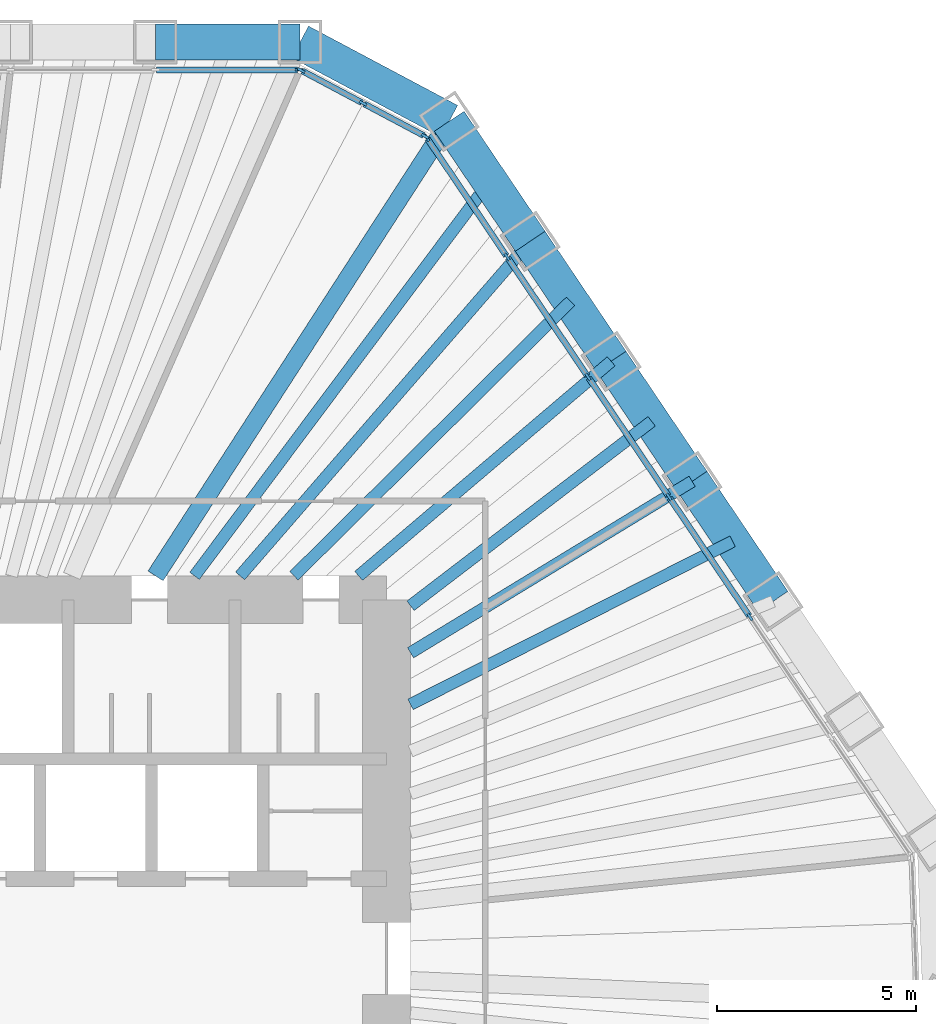
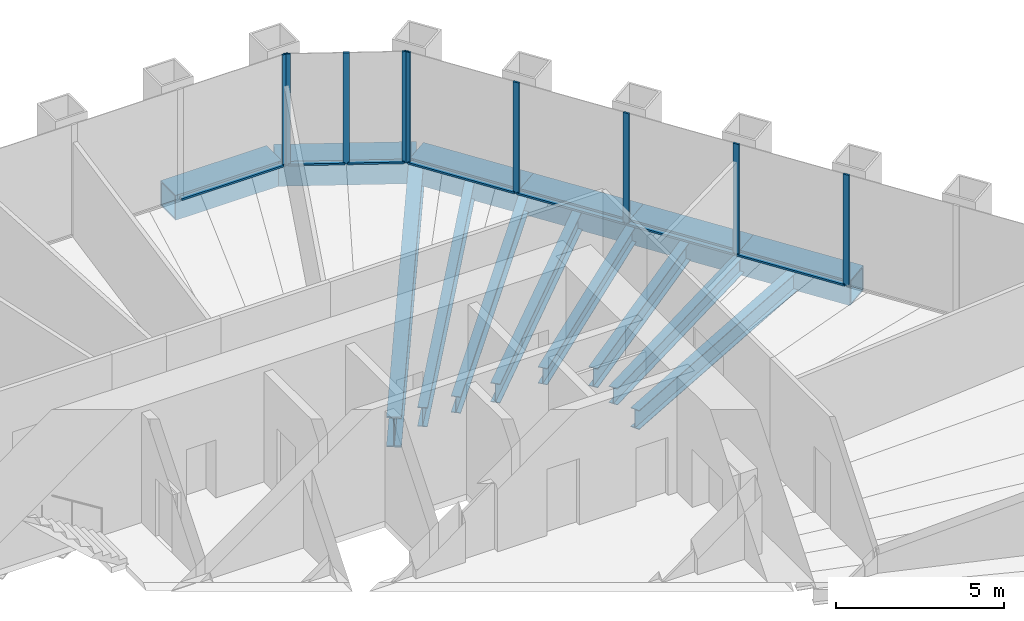
# One storey, part 7 of 14: 16 members, 14 beams, 3 elements without a shape of their own.
"""IFC4 building model written with IfcOpenShell, lengths in metres."""

from ifc_helpers import new_model, si_unit, direction, frame, origin, origin_2d, place, context, subcontext, project, spatial, rectangle, hollow_rectangle, i_section, extrude, material, material_profile, profile_set, type_object, element, aggregate, save


model = new_model("IFC4")

# Units and contexts
model_context = context("Model", 3, precision=1e-05, world=origin(), true_north=direction((0.0, 1.0)))
body_context = subcontext(model_context, "Body", "Model", "MODEL_VIEW")
ifc_project = project(units=[si_unit("LENGTHUNIT", "METRE"), si_unit("AREAUNIT", "SQUARE_METRE"), si_unit("VOLUMEUNIT", "CUBIC_METRE"), si_unit("PLANEANGLEUNIT", "RADIAN"), si_unit("MASSUNIT", "GRAM", prefix="KILO")], contexts=[model_context])

# Site, building, storey
site_placement = place(None, origin())
site = spatial("IfcSite", under=ifc_project, at=site_placement, CompositionType="ELEMENT")
building_placement = place(site_placement, origin())
building = spatial("IfcBuilding", under=site, at=building_placement, Name="Qingtian Harvest Tower", CompositionType="ELEMENT")
storey_placement = place(building_placement, frame((0.0, 0.0, 201.39990234375)))
storey = spatial("IfcBuildingStorey", under=building, at=storey_placement, Name="L43", CompositionType="ELEMENT", Elevation=201.39990234375)

# Beams
ifc_material_1 = material(Name="Steel SM570MC", Category="steel")
ifc_material_profile_1 = material_profile(ifc_material_1, i_section(OverallWidth=0.449951171875, OverallDepth=1.10009765625, WebThickness=0.02197265625, FlangeThickness=0.044921875, at=origin_2d()), Name="H1100x450x22x45")
ifc_profile_set_1 = profile_set([ifc_material_profile_1], Name="Steel SM570MC")
beam_type_1 = type_object("IfcBeamType", Name="Corner floor beam FB8 H1100x450x22x45", PredefinedType="BEAM", material=ifc_profile_set_1)
beam_1_placement = place(storey_placement, frame((13.5712890625, 21.01025390625, -0.719970703125), z_axis=(-0.542593072822, -0.839995688873, 0.0), x_axis=(0.839995688873, -0.542593072822, 0.0)))
element("IfcBeam", 1, at=beam_1_placement, inside=storey, type_object=beam_type_1, Name="Floor beam FB8 NE0", PredefinedType="BEAM", context=body_context, shape_type="SweptSolid", body=[
    extrude(i_section(OverallWidth=0.449951171875, OverallDepth=1.10009765625, WebThickness=0.02197265625, FlangeThickness=0.044921875, at=origin_2d()), origin(), (0.0, 0.0, 1.0), 13.58349609375),
])
ifc_material_2 = material(Name="Steel SN490B", Category="steel")
ifc_material_profile_2 = material_profile(ifc_material_2, i_section(OverallWidth=0.300048828125, OverallDepth=0.60009765625, WebThickness=0.011962890625, FlangeThickness=0.02001953125, at=origin_2d()), Name="H600x300x12x20")
ifc_profile_set_2 = profile_set([ifc_material_profile_2], Name="Steel SN490B")
beam_type_2 = type_object("IfcBeamType", Name="Floor beam FB3 H600x300x12x20", PredefinedType="BEAM", material=ifc_profile_set_2)
beam_2_placement = place(storey_placement, frame((15.603271484375, 17.998046875, -0.469970703125), z_axis=(-0.655048444444, -0.755586881458, 0.0), x_axis=(0.755586881458, -0.655048444444, 0.0)))
element("IfcBeam", 2, at=beam_2_placement, inside=storey, type_object=beam_type_2, Name="Floor beam FB3 NE1", PredefinedType="BEAM", context=body_context, shape_type="SweptSolid", body=[
    extrude(i_section(OverallWidth=0.300048828125, OverallDepth=0.60009765625, WebThickness=0.011962890625, FlangeThickness=0.02001953125, at=origin_2d()), origin(), (0.0, 0.0, 1.0), 11.114501953125),
])
beam_3_placement = place(storey_placement, frame((17.635009765625, 14.985595703125, -0.469970703125), z_axis=(-0.762028398305, -0.647543604846, 0.0), x_axis=(0.647543604846, -0.762028398305, 0.0)))
element("IfcBeam", 3, at=beam_3_placement, inside=storey, type_object=beam_type_2, Name="Floor beam FB3 NE2", PredefinedType="BEAM", context=body_context, shape_type="SweptSolid", body=[
    extrude(i_section(OverallWidth=0.300048828125, OverallDepth=0.60009765625, WebThickness=0.011962890625, FlangeThickness=0.02001953125, at=origin_2d()), origin(), (0.0, 0.0, 1.0), 8.31689453125),
])
beam_4_placement = place(storey_placement, frame((19.6669921875, 11.97314453125, -0.469970703125), z_axis=(-0.854163224424, -0.520004986554, 0.0), x_axis=(0.520004986554, -0.854163224424, 0.0)))
element("IfcBeam", 4, at=beam_4_placement, inside=storey, type_object=beam_type_2, Name="Floor beam FB3 NE3", PredefinedType="BEAM", context=body_context, shape_type="SweptSolid", body=[
    extrude(i_section(OverallWidth=0.300048828125, OverallDepth=0.60009765625, WebThickness=0.011962890625, FlangeThickness=0.02001953125, at=origin_2d()), origin(), (0.0, 0.0, 1.0), 8.2734375),
])
ifc_material_3 = material(Name="Steel SN490B", Category="steel")
ifc_material_profile_3 = material_profile(ifc_material_3, i_section(OverallWidth=0.300048828125, OverallDepth=0.699951171875, WebThickness=0.012939453125, FlangeThickness=0.02392578125, at=origin_2d()), Name="H700x300x13x24")
ifc_profile_set_3 = profile_set([ifc_material_profile_3], Name="Steel SN490B")
beam_type_3 = type_object("IfcBeamType", Name="Floor joist J2 H700x300x13x24", PredefinedType="JOIST", material=ifc_profile_set_3)
beam_5_placement = place(storey_placement, frame((14.58740234375, 19.504150390625, -0.52001953125), z_axis=(-0.598935081494, -0.800797582511, 0.0), x_axis=(0.800797582511, -0.598935081494, 0.0)))
element("IfcBeam", 5, at=beam_5_placement, inside=storey, type_object=beam_type_3, Name="Floor joist J2 NE0", PredefinedType="JOIST", context=body_context, shape_type="SweptSolid", body=[
    extrude(i_section(OverallWidth=0.300048828125, OverallDepth=0.699951171875, WebThickness=0.012939453125, FlangeThickness=0.02392578125, at=origin_2d()), origin(), (0.0, 0.0, 1.0), 12.36767578125),
])
beam_6_placement = place(storey_placement, frame((16.619140625, 16.49169921875, -0.52001953125), z_axis=(-0.709833839663, -0.704369164622, 0.0), x_axis=(0.704369164622, -0.709833839663, 0.0)))
element("IfcBeam", 6, at=beam_6_placement, inside=storey, type_object=beam_type_3, Name="Floor joist J2 NE1", PredefinedType="JOIST", context=body_context, shape_type="SweptSolid", body=[
    extrude(i_section(OverallWidth=0.300048828125, OverallDepth=0.699951171875, WebThickness=0.012939453125, FlangeThickness=0.02392578125, at=origin_2d()), origin(), (0.0, 0.0, 1.0), 9.7841796875),
])
beam_7_placement = place(storey_placement, frame((18.651123046875, 13.4794921875, -0.52001953125), z_axis=(-0.794222288871, -0.607627316585, 0.0), x_axis=(0.607627316585, -0.794222288871, 0.0)))
element("IfcBeam", 7, at=beam_7_placement, inside=storey, type_object=beam_type_3, Name="Floor joist J2 NE2", PredefinedType="JOIST", context=body_context, shape_type="SweptSolid", body=[
    extrude(i_section(OverallWidth=0.300048828125, OverallDepth=0.699951171875, WebThickness=0.012939453125, FlangeThickness=0.02392578125, at=origin_2d()), origin(), (0.0, 0.0, 1.0), 7.618896484375),
])
beam_8_placement = place(storey_placement, frame((20.682861328125, 10.467041015625, -0.52001953125), z_axis=(-0.892244443914, -0.451552712652, 0.0), x_axis=(0.451552712652, -0.892244443914, 0.0)))
element("IfcBeam", 8, at=beam_8_placement, inside=storey, type_object=beam_type_3, Name="Floor joist J2 NE3", PredefinedType="JOIST", context=body_context, shape_type="SweptSolid", body=[
    extrude(i_section(OverallWidth=0.300048828125, OverallDepth=0.699951171875, WebThickness=0.012939453125, FlangeThickness=0.02392578125, at=origin_2d()), origin(), (0.0, 0.0, 1.0), 9.058837890625),
])

# Curtain wall, member
ifc_material_4 = material(Name="Bronze-anodised aluminium curtain wall", Category="aluminium")
curtain_wall_type = type_object("IfcCurtainWallType", Name="Curtain wall CW4 office", PredefinedType="USERDEFINED", material=ifc_material_4)
curtain_wall_1_placement = place(storey_placement, origin())
curtain_wall_1 = element("IfcCurtainWall", 9, at=curtain_wall_1_placement, inside=storey, type_object=curtain_wall_type, Name="Curtain wall CW4 L43 N0-5", ObjectType="RECESSED CURTAIN WALL", PredefinedType="USERDEFINED")
ifc_material_5 = material(Name="Bronze-anodised aluminium mullion", Category="aluminium")
ifc_material_profile_4 = material_profile(ifc_material_5, rectangle(XDim=0.06494140625, YDim=0.199951171875, at=origin_2d()), Name="AL 65x200")
ifc_profile_set_4 = profile_set([ifc_material_profile_4], Name="Bronze-anodised aluminium mullion")
member_type_1 = type_object("IfcMemberType", Name="Mullion CWM 65x200", PredefinedType="MULLION", material=ifc_profile_set_4)
member_1_placement = place(storey_placement, frame((9.796875, 22.300048828125, 0.0), z_axis=(0.0, 0.0, 1.0), x_axis=(0.0, 1.0, 0.0)))
member_1 = element("IfcMember", 10, at=member_1_placement, type_object=member_type_1, Name="CW4 mullion 7", PredefinedType="MULLION", context=body_context, shape_type="SweptSolid", body=[
    extrude(rectangle(XDim=0.06494140625, YDim=0.199951171875, at=origin_2d()), origin(), (0.0, 0.0, 1.0), 4.030029296875),
])

# Curtain wall, members
curtain_wall_2_placement = place(storey_placement, origin())
curtain_wall_2 = element("IfcCurtainWall", 11, at=curtain_wall_2_placement, inside=storey, type_object=curtain_wall_type, Name="Curtain wall CW4 L43 NC", ObjectType="RECESSED CURTAIN WALL", PredefinedType="USERDEFINED")
member_2_placement = place(storey_placement, frame((9.85791015625, 22.28466796875, 0.0), z_axis=(0.0, 0.0, 1.0), x_axis=(0.469471562786, 0.882947592859, 0.0)))
member_2 = element("IfcMember", 12, at=member_2_placement, type_object=member_type_1, Name="CW4 mullion 1", PredefinedType="MULLION", context=body_context, shape_type="SweptSolid", body=[
    extrude(rectangle(XDim=0.06494140625, YDim=0.199951171875, at=origin_2d()), origin(), (0.0, 0.0, 1.0), 4.030029296875),
])
member_3_placement = place(storey_placement, frame((11.41015625, 21.45947265625, 0.0), z_axis=(0.0, 0.0, 1.0), x_axis=(0.469471562786, 0.882947592859, 0.0)))
member_3 = element("IfcMember", 13, at=member_3_placement, type_object=member_type_1, Name="CW4 mullion 2", PredefinedType="MULLION", context=body_context, shape_type="SweptSolid", body=[
    extrude(rectangle(XDim=0.06494140625, YDim=0.199951171875, at=origin_2d()), origin(), (0.0, 0.0, 1.0), 4.030029296875),
])
member_4_placement = place(storey_placement, frame((12.96240234375, 20.634033203125, 0.0), z_axis=(0.0, 0.0, 1.0), x_axis=(0.469471562786, 0.882947592859, 0.0)))
member_4 = element("IfcMember", 14, at=member_4_placement, type_object=member_type_1, Name="CW4 mullion 3", PredefinedType="MULLION", context=body_context, shape_type="SweptSolid", body=[
    extrude(rectangle(XDim=0.06494140625, YDim=0.199951171875, at=origin_2d()), origin(), (0.0, 0.0, 1.0), 4.030029296875),
])

curtain_wall_3_placement = place(storey_placement, origin())
curtain_wall_3 = element("IfcCurtainWall", 15, at=curtain_wall_3_placement, inside=storey, type_object=curtain_wall_type, Name="Curtain wall CW4 L43 NE0-5", ObjectType="RECESSED CURTAIN WALL", PredefinedType="USERDEFINED")
member_5_placement = place(storey_placement, frame((13.00927734375, 20.592041015625, 0.0), z_axis=(0.0, 0.0, 1.0), x_axis=(0.829037572555, 0.559192903471, 0.0)))
member_5 = element("IfcMember", 16, at=member_5_placement, type_object=member_type_1, Name="CW4 mullion 1", PredefinedType="MULLION", context=body_context, shape_type="SweptSolid", body=[
    extrude(rectangle(XDim=0.06494140625, YDim=0.199951171875, at=origin_2d()), origin(), (0.0, 0.0, 1.0), 4.030029296875),
])
member_6_placement = place(storey_placement, frame((15.02294921875, 17.6064453125, 0.0), z_axis=(0.0, 0.0, 1.0), x_axis=(0.829037572555, 0.559192903471, 0.0)))
member_6 = element("IfcMember", 17, at=member_6_placement, type_object=member_type_1, Name="CW4 mullion 2", PredefinedType="MULLION", context=body_context, shape_type="SweptSolid", body=[
    extrude(rectangle(XDim=0.06494140625, YDim=0.199951171875, at=origin_2d()), origin(), (0.0, 0.0, 1.0), 4.030029296875),
])
member_7_placement = place(storey_placement, frame((17.0546875, 14.59423828125, 0.0), z_axis=(0.0, 0.0, 1.0), x_axis=(0.829037572555, 0.559192903471, 0.0)))
member_7 = element("IfcMember", 18, at=member_7_placement, type_object=member_type_1, Name="CW4 mullion 3", PredefinedType="MULLION", context=body_context, shape_type="SweptSolid", body=[
    extrude(rectangle(XDim=0.06494140625, YDim=0.199951171875, at=origin_2d()), origin(), (0.0, 0.0, 1.0), 4.030029296875),
])
member_8_placement = place(storey_placement, frame((19.086669921875, 11.581787109375, 0.0), z_axis=(0.0, 0.0, 1.0), x_axis=(0.829037572555, 0.559192903471, 0.0)))
member_8 = element("IfcMember", 19, at=member_8_placement, type_object=member_type_1, Name="CW4 mullion 4", PredefinedType="MULLION", context=body_context, shape_type="SweptSolid", body=[
    extrude(rectangle(XDim=0.06494140625, YDim=0.199951171875, at=origin_2d()), origin(), (0.0, 0.0, 1.0), 4.030029296875),
])
member_9_placement = place(storey_placement, frame((21.118408203125, 8.569580078125, 0.0), z_axis=(0.0, 0.0, 1.0), x_axis=(0.829037572555, 0.559192903471, 0.0)))
member_9 = element("IfcMember", 20, at=member_9_placement, type_object=member_type_1, Name="CW4 mullion 5", PredefinedType="MULLION", context=body_context, shape_type="SweptSolid", body=[
    extrude(rectangle(XDim=0.06494140625, YDim=0.199951171875, at=origin_2d()), origin(), (0.0, 0.0, 1.0), 4.030029296875),
])

# Beams
ifc_material_6 = material(Name="Steel SM570MC", Category="steel")
ifc_material_profile_5 = material_profile(ifc_material_6, hollow_rectangle(XDim=0.89990234375, YDim=0.89990234375, WallThickness=0.050048828125, at=origin_2d()), Name="BOX900x900x50")
ifc_profile_set_5 = profile_set([ifc_material_profile_5], Name="Steel SM570MC")
beam_type_4 = type_object("IfcBeamType", Name="Transition spandrel SB6 BOX900x900x50", PredefinedType="SPANDREL", material=ifc_profile_set_5)
beam_9_placement = place(storey_placement, frame((6.19580078125, 23.0, -0.449951171875), z_axis=(1.0, 0.0, 0.0), x_axis=(0.0, 1.0, 0.0)))
element("IfcBeam", 21, at=beam_9_placement, inside=storey, type_object=beam_type_4, Name="Spandrel SB6 N5", PredefinedType="SPANDREL", context=body_context, shape_type="SweptSolid", body=[
    extrude(hollow_rectangle(XDim=0.89990234375, YDim=0.89990234375, WallThickness=0.050048828125, at=origin_2d()), origin(), (0.0, 0.0, 1.0), 3.633544921875),
])
beam_10_placement = place(storey_placement, frame((9.829345703125, 23.0, -0.449951171875), z_axis=(0.882935902835, -0.469493547863, 0.0), x_axis=(0.469493547863, 0.882935902835, 0.0)))
element("IfcBeam", 22, at=beam_10_placement, inside=storey, type_object=beam_type_4, Name="Spandrel SB6 NC", PredefinedType="SPANDREL", context=body_context, shape_type="SweptSolid", body=[
    extrude(hollow_rectangle(XDim=0.89990234375, YDim=0.89990234375, WallThickness=0.050048828125, at=origin_2d()), origin(), (0.0, 0.0, 1.0), 4.238037109375),
])
for number, where, z_axis, x_axis, name in (
    (23, (13.5712890625, 21.01025390625, -0.449951171875), (0.559235108412, -0.829009103399, 0.0), (0.829009103399, 0.559235108412, 0.0), "Spandrel SB6 NE0"),
    (24, (15.603271484375, 17.998046875, -0.449951171875), (0.55915777886, -0.829061263321, 0.0), (0.829061263321, 0.55915777886, 0.0), "Spandrel SB6 NE1"),
):
    element("IfcBeam", number, at=place(storey_placement, frame(where, z_axis=z_axis, x_axis=x_axis)), inside=storey, type_object=beam_type_4, Name=name, PredefinedType="SPANDREL", context=body_context, shape_type="SweptSolid", body=[
        extrude(hollow_rectangle(XDim=0.89990234375, YDim=0.89990234375, WallThickness=0.050048828125, at=origin_2d()), origin(), (0.0, 0.0, 1.0), 3.633544921875),
    ])
beam_11_placement = place(storey_placement, frame((17.635009765625, 14.985595703125, -0.449951171875), z_axis=(0.55920395902, -0.829030115385, 0.0), x_axis=(0.829030115385, 0.55920395902, 0.0)))
element("IfcBeam", 25, at=beam_11_placement, inside=storey, type_object=beam_type_4, Name="Spandrel SB6 NE2", PredefinedType="SPANDREL", context=body_context, shape_type="SweptSolid", body=[
    extrude(hollow_rectangle(XDim=0.89990234375, YDim=0.89990234375, WallThickness=0.050048828125, at=origin_2d()), origin(), (0.0, 0.0, 1.0), 3.6337890625),
])
beam_12_placement = place(storey_placement, frame((19.6669921875, 11.97314453125, -0.449951171875), z_axis=(0.559188928021, -0.829040254016, 0.0), x_axis=(0.829040254016, 0.559188928021, 0.0)))
element("IfcBeam", 26, at=beam_12_placement, inside=storey, type_object=beam_type_4, Name="Spandrel SB6 NE3", PredefinedType="SPANDREL", context=body_context, shape_type="SweptSolid", body=[
    extrude(hollow_rectangle(XDim=0.89990234375, YDim=0.89990234375, WallThickness=0.050048828125, at=origin_2d()), origin(), (0.0, 0.0, 1.0), 3.63330078125),
])

# Member
ifc_material_7 = material(Name="Bronze-anodised aluminium transom", Category="aluminium")
ifc_material_profile_6 = material_profile(ifc_material_7, rectangle(XDim=0.14990234375, YDim=0.06494140625, at=origin_2d()), Name="AL 65x150")
ifc_profile_set_6 = profile_set([ifc_material_profile_6], Name="Bronze-anodised aluminium transom")
member_type_2 = type_object("IfcMemberType", Name="Transom CWT 65x150", PredefinedType="USERDEFINED", material=ifc_profile_set_6)
member_10_placement = place(storey_placement, frame((6.228271484375, 22.300048828125, 0.03271484375), z_axis=(1.0, 0.0, 0.0), x_axis=(0.0, 1.0, 0.0)))
member_10 = element("IfcMember", 27, at=member_10_placement, type_object=member_type_2, Name="CW4 transom 6.1", ObjectType="TRANSOM", PredefinedType="USERDEFINED", context=body_context, shape_type="SweptSolid", body=[
    extrude(rectangle(XDim=0.14990234375, YDim=0.06494140625, at=origin_2d()), origin(), (0.0, 0.0, 1.0), 3.5361328125),
])

aggregate(curtain_wall_1, [member_1, member_10])

member_11_placement = place(storey_placement, frame((9.88671875, 22.26953125, 0.03271484375), z_axis=(0.882927080927, -0.469510138086, 0.0), x_axis=(0.469510138086, 0.882927080927, 0.0)))
member_11 = element("IfcMember", 28, at=member_11_placement, type_object=member_type_2, Name="CW4 transom 1.1", ObjectType="TRANSOM", PredefinedType="USERDEFINED", context=body_context, shape_type="SweptSolid", body=[
    extrude(rectangle(XDim=0.14990234375, YDim=0.06494140625, at=origin_2d()), origin(), (0.0, 0.0, 1.0), 1.693115234375),
])

member_12_placement = place(storey_placement, frame((11.43896484375, 21.444091796875, 0.03271484375), z_axis=(0.882955074232, -0.469457492098, 0.0), x_axis=(0.469457492098, 0.882955074232, 0.0)))
member_12 = element("IfcMember", 29, at=member_12_placement, type_object=member_type_2, Name="CW4 transom 2.1", ObjectType="TRANSOM", PredefinedType="USERDEFINED", context=body_context, shape_type="SweptSolid", body=[
    extrude(rectangle(XDim=0.14990234375, YDim=0.06494140625, at=origin_2d()), origin(), (0.0, 0.0, 1.0), 1.69287109375),
])

aggregate(curtain_wall_2, [member_2, member_3, member_4, member_11, member_12])

member_13_placement = place(storey_placement, frame((13.02734375, 20.56494140625, 0.03271484375), z_axis=(0.559201266891, -0.829031931295, 0.0), x_axis=(0.829031931295, 0.559201266891, 0.0)))
member_13 = element("IfcMember", 30, at=member_13_placement, type_object=member_type_2, Name="CW4 transom 1.1", ObjectType="TRANSOM", PredefinedType="USERDEFINED", context=body_context, shape_type="SweptSolid", body=[
    extrude(rectangle(XDim=0.14990234375, YDim=0.06494140625, at=origin_2d()), origin(), (0.0, 0.0, 1.0), 3.535888671875),
])

member_14_placement = place(storey_placement, frame((15.041015625, 17.57958984375, 0.03271484375), z_axis=(0.559207281901, -0.829027874, 0.0), x_axis=(0.829027874, 0.559207281901, 0.0)))
member_14 = element("IfcMember", 31, at=member_14_placement, type_object=member_type_2, Name="CW4 transom 2.1", ObjectType="TRANSOM", PredefinedType="USERDEFINED", context=body_context, shape_type="SweptSolid", body=[
    extrude(rectangle(XDim=0.14990234375, YDim=0.06494140625, at=origin_2d()), origin(), (0.0, 0.0, 1.0), 3.568603515625),
])

member_15_placement = place(storey_placement, frame((17.072998046875, 14.567138671875, 0.03271484375), z_axis=(0.559191977147, -0.829038197368, 0.0), x_axis=(0.829038197368, 0.559191977147, 0.0)))
member_15 = element("IfcMember", 32, at=member_15_placement, type_object=member_type_2, Name="CW4 transom 3.1", ObjectType="TRANSOM", PredefinedType="USERDEFINED", context=body_context, shape_type="SweptSolid", body=[
    extrude(rectangle(XDim=0.14990234375, YDim=0.06494140625, at=origin_2d()), origin(), (0.0, 0.0, 1.0), 3.568359375),
])

member_16_placement = place(storey_placement, frame((19.104736328125, 11.554931640625, 0.03271484375), z_axis=(0.559207281901, -0.829027874, 0.0), x_axis=(0.829027874, 0.559207281901, 0.0)))
member_16 = element("IfcMember", 33, at=member_16_placement, type_object=member_type_2, Name="CW4 transom 4.1", ObjectType="TRANSOM", PredefinedType="USERDEFINED", context=body_context, shape_type="SweptSolid", body=[
    extrude(rectangle(XDim=0.14990234375, YDim=0.06494140625, at=origin_2d()), origin(), (0.0, 0.0, 1.0), 3.568603515625),
])

aggregate(curtain_wall_3, [member_5, member_6, member_7, member_8, member_9, member_13, member_14, member_15, member_16])

save(model, "model.ifc")
